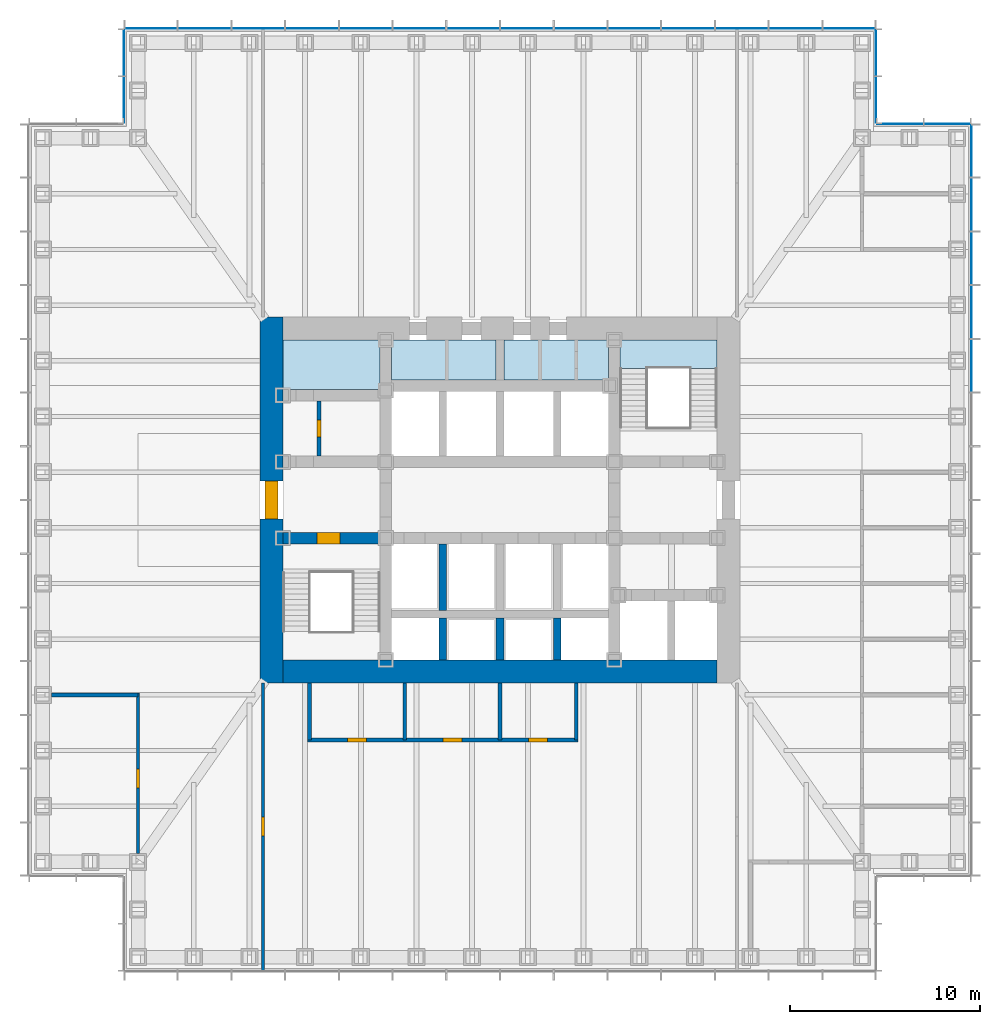
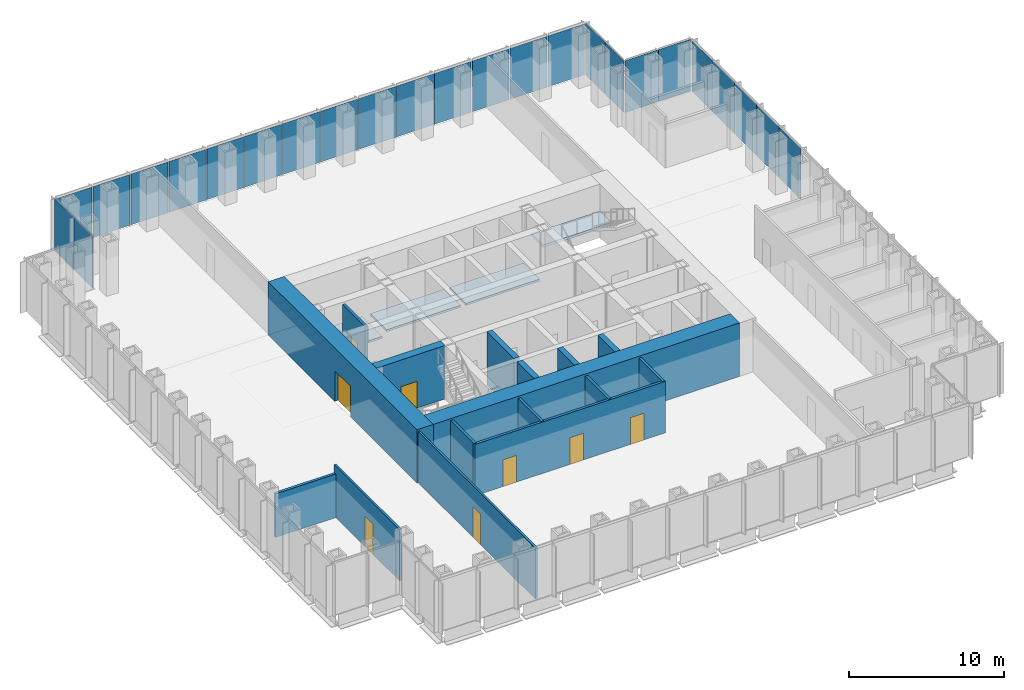
# One storey, part 8 of 16: 25 plates, 16 walls, 8 doors, 4 slabs, 8 openings, 6 elements without a shape of their own.
"""IFC4 building model written with IfcOpenShell, lengths in metres."""

from ifc_helpers import new_model, si_unit, direction, frame, frame_2d, origin, origin_2d, place, context, subcontext, project, spatial, polyline, rectangle, outline, extrude, material, layer, layer_set, type_object, element, fill, aggregate, save


model = new_model("IFC4")

# Units and contexts
model_context = context("Model", 3, precision=1e-05, world=origin(), true_north=direction((0.0, 1.0)))
body_context = subcontext(model_context, "Body", "Model", "MODEL_VIEW")
ifc_project = project(units=[si_unit("LENGTHUNIT", "METRE"), si_unit("AREAUNIT", "SQUARE_METRE"), si_unit("VOLUMEUNIT", "CUBIC_METRE"), si_unit("PLANEANGLEUNIT", "RADIAN"), si_unit("MASSUNIT", "GRAM", prefix="KILO")], contexts=[model_context])

# Site, building, storey
site_placement = place(None, origin())
site = spatial("IfcSite", under=ifc_project, at=site_placement, CompositionType="ELEMENT")
building_placement = place(site_placement, origin())
building = spatial("IfcBuilding", under=site, at=building_placement, Name="Daluyong Arena Tower", CompositionType="ELEMENT")
storey_placement = place(building_placement, frame((0.0, 0.0, 72.699951171875)))
storey = spatial("IfcBuildingStorey", under=building, at=storey_placement, Name="L15", CompositionType="ELEMENT", Elevation=72.699951171875)

# Curtain wall, plates
ifc_material_1 = material(Name="Bronze anodised aluminium and glass", Category="aluminium")
curtain_wall_type_1 = type_object("IfcCurtainWallType", Name="Curtain wall CW1", PredefinedType="USERDEFINED", material=ifc_material_1)
curtain_wall_1_placement = place(storey_placement, origin())
curtain_wall_1 = element("IfcCurtainWall", 1, at=curtain_wall_1_placement, inside=storey, type_object=curtain_wall_type_1, Name="curtain wall L15 E", ObjectType="UNITISED CURTAIN WALL", PredefinedType="USERDEFINED")
ifc_material_2 = material(Name="Tinted double glazed unit", Category="glass")
ifc_layer_1 = layer(ifc_material_2, 0.031982421875)
ifc_layer_set_1 = layer_set([ifc_layer_1], Name="Tinted double glazed unit")
plate_type_1 = type_object("IfcPlateType", Name="CW1 panel 32", PredefinedType="CURTAIN_PANEL", material=ifc_layer_set_1)
plate_1_placement = place(storey_placement, frame((80.75, 87.053466796875, 0.0), z_axis=(0.0, 0.0, 1.0), x_axis=(0.0, 1.0, 0.0)))
plate_1 = element("IfcPlate", 2, at=plate_1_placement, type_object=plate_type_1, Name="curtain wall L15 E panel 10", PredefinedType="CURTAIN_PANEL", context=body_context, shape_type="SweptSolid", body=[
    extrude(rectangle(XDim=2.741455078125, YDim=0.031982421875, at=origin_2d()), origin(), (0.0, 0.0, 1.0), 4.0),
])
plate_2_placement = place(storey_placement, frame((80.75, 89.875, 0.0), z_axis=(0.0, 0.0, 1.0), x_axis=(0.0, 1.0, 0.0)))
plate_2 = element("IfcPlate", 3, at=plate_2_placement, type_object=plate_type_1, Name="curtain wall L15 E panel 11", PredefinedType="CURTAIN_PANEL", context=body_context, shape_type="SweptSolid", body=[
    extrude(rectangle(XDim=2.741455078125, YDim=0.031982421875, at=origin_2d()), origin(), (0.0, 0.0, 1.0), 4.0),
])
plate_3_placement = place(storey_placement, frame((80.75, 92.696533203125, 0.0), z_axis=(0.0, 0.0, 1.0), x_axis=(0.0, 1.0, 0.0)))
plate_3 = element("IfcPlate", 4, at=plate_3_placement, type_object=plate_type_1, Name="curtain wall L15 E panel 12", PredefinedType="CURTAIN_PANEL", context=body_context, shape_type="SweptSolid", body=[
    extrude(rectangle(XDim=2.741455078125, YDim=0.031982421875, at=origin_2d()), origin(), (0.0, 0.0, 1.0), 4.0),
])
plate_4_placement = place(storey_placement, frame((80.75, 95.517822265625, 0.0), z_axis=(0.0, 0.0, 1.0), x_axis=(0.0, 1.0, 0.0)))
plate_4 = element("IfcPlate", 5, at=plate_4_placement, type_object=plate_type_1, Name="curtain wall L15 E panel 13", PredefinedType="CURTAIN_PANEL", context=body_context, shape_type="SweptSolid", body=[
    extrude(rectangle(XDim=2.741455078125, YDim=0.031982421875, at=origin_2d()), origin(), (0.0, 0.0, 1.0), 4.0),
])
plate_5_placement = place(storey_placement, frame((80.75, 98.3193359375, 0.0), z_axis=(0.0, 0.0, 1.0), x_axis=(0.0, 1.0, 0.0)))
plate_5 = element("IfcPlate", 6, at=plate_5_placement, type_object=plate_type_1, Name="curtain wall L15 E panel 14", PredefinedType="CURTAIN_PANEL", context=body_context, shape_type="SweptSolid", body=[
    extrude(rectangle(XDim=2.701416015625, YDim=0.031982421875, at=origin_2d()), origin(), (0.0, 0.0, 1.0), 4.0),
])
aggregate(curtain_wall_1, [plate_1, plate_2, plate_3, plate_4, plate_5])

curtain_wall_2_placement = place(storey_placement, origin())
curtain_wall_2 = element("IfcCurtainWall", 7, at=curtain_wall_2_placement, inside=storey, type_object=curtain_wall_type_1, Name="curtain wall L15 N", ObjectType="UNITISED CURTAIN WALL", PredefinedType="USERDEFINED")
plate_6_placement = place(storey_placement, frame((74.3193359375, 104.75, 0.0), z_axis=(0.0, 0.0, 1.0), x_axis=(-1.0, 0.0, 0.0)))
plate_6 = element("IfcPlate", 8, at=plate_6_placement, type_object=plate_type_1, Name="curtain wall L15 N panel 1", PredefinedType="CURTAIN_PANEL", context=body_context, shape_type="SweptSolid", body=[
    extrude(rectangle(XDim=2.701416015625, YDim=0.031982421875, at=origin_2d()), origin(), (0.0, 0.0, 1.0), 4.0),
])
plate_7_placement = place(storey_placement, frame((71.517822265625, 104.75, 0.0), z_axis=(0.0, 0.0, 1.0), x_axis=(-1.0, 0.0, 0.0)))
plate_7 = element("IfcPlate", 9, at=plate_7_placement, type_object=plate_type_1, Name="curtain wall L15 N panel 2", PredefinedType="CURTAIN_PANEL", context=body_context, shape_type="SweptSolid", body=[
    extrude(rectangle(XDim=2.741455078125, YDim=0.031982421875, at=origin_2d()), origin(), (0.0, 0.0, 1.0), 4.0),
])
plate_8_placement = place(storey_placement, frame((68.696533203125, 104.75, 0.0), z_axis=(0.0, 0.0, 1.0), x_axis=(-1.0, 0.0, 0.0)))
plate_8 = element("IfcPlate", 10, at=plate_8_placement, type_object=plate_type_1, Name="curtain wall L15 N panel 3", PredefinedType="CURTAIN_PANEL", context=body_context, shape_type="SweptSolid", body=[
    extrude(rectangle(XDim=2.741455078125, YDim=0.031982421875, at=origin_2d()), origin(), (0.0, 0.0, 1.0), 4.0),
])
plate_9_placement = place(storey_placement, frame((65.875, 104.75, 0.0), z_axis=(0.0, 0.0, 1.0), x_axis=(-1.0, 0.0, 0.0)))
plate_9 = element("IfcPlate", 11, at=plate_9_placement, type_object=plate_type_1, Name="curtain wall L15 N panel 4", PredefinedType="CURTAIN_PANEL", context=body_context, shape_type="SweptSolid", body=[
    extrude(rectangle(XDim=2.741455078125, YDim=0.031982421875, at=origin_2d()), origin(), (0.0, 0.0, 1.0), 4.0),
])
plate_10_placement = place(storey_placement, frame((63.053466796875, 104.75, 0.0), z_axis=(0.0, 0.0, 1.0), x_axis=(-1.0, 0.0, 0.0)))
plate_10 = element("IfcPlate", 12, at=plate_10_placement, type_object=plate_type_1, Name="curtain wall L15 N panel 5", PredefinedType="CURTAIN_PANEL", context=body_context, shape_type="SweptSolid", body=[
    extrude(rectangle(XDim=2.741455078125, YDim=0.031982421875, at=origin_2d()), origin(), (0.0, 0.0, 1.0), 4.0),
])
plate_11_placement = place(storey_placement, frame((60.232177734375, 104.75, 0.0), z_axis=(0.0, 0.0, 1.0), x_axis=(-1.0, 0.0, 0.0)))
plate_11 = element("IfcPlate", 13, at=plate_11_placement, type_object=plate_type_1, Name="curtain wall L15 N panel 6", PredefinedType="CURTAIN_PANEL", context=body_context, shape_type="SweptSolid", body=[
    extrude(rectangle(XDim=2.741455078125, YDim=0.031982421875, at=origin_2d()), origin(), (0.0, 0.0, 1.0), 4.0),
])
plate_12_placement = place(storey_placement, frame((57.41064453125, 104.75, 0.0), z_axis=(0.0, 0.0, 1.0), x_axis=(-1.0, 0.0, 0.0)))
plate_12 = element("IfcPlate", 14, at=plate_12_placement, type_object=plate_type_1, Name="curtain wall L15 N panel 7", PredefinedType="CURTAIN_PANEL", context=body_context, shape_type="SweptSolid", body=[
    extrude(rectangle(XDim=2.741455078125, YDim=0.031982421875, at=origin_2d()), origin(), (0.0, 0.0, 1.0), 4.0),
])
plate_13_placement = place(storey_placement, frame((54.58935546875, 104.75, 0.0), z_axis=(0.0, 0.0, 1.0), x_axis=(-1.0, 0.0, 0.0)))
plate_13 = element("IfcPlate", 15, at=plate_13_placement, type_object=plate_type_1, Name="curtain wall L15 N panel 8", PredefinedType="CURTAIN_PANEL", context=body_context, shape_type="SweptSolid", body=[
    extrude(rectangle(XDim=2.741455078125, YDim=0.031982421875, at=origin_2d()), origin(), (0.0, 0.0, 1.0), 4.0),
])
plate_14_placement = place(storey_placement, frame((51.767822265625, 104.75, 0.0), z_axis=(0.0, 0.0, 1.0), x_axis=(-1.0, 0.0, 0.0)))
plate_14 = element("IfcPlate", 16, at=plate_14_placement, type_object=plate_type_1, Name="curtain wall L15 N panel 9", PredefinedType="CURTAIN_PANEL", context=body_context, shape_type="SweptSolid", body=[
    extrude(rectangle(XDim=2.741455078125, YDim=0.031982421875, at=origin_2d()), origin(), (0.0, 0.0, 1.0), 4.0),
])
plate_15_placement = place(storey_placement, frame((48.946533203125, 104.75, 0.0), z_axis=(0.0, 0.0, 1.0), x_axis=(-1.0, 0.0, 0.0)))
plate_15 = element("IfcPlate", 17, at=plate_15_placement, type_object=plate_type_1, Name="curtain wall L15 N panel 10", PredefinedType="CURTAIN_PANEL", context=body_context, shape_type="SweptSolid", body=[
    extrude(rectangle(XDim=2.741455078125, YDim=0.031982421875, at=origin_2d()), origin(), (0.0, 0.0, 1.0), 4.0),
])
plate_16_placement = place(storey_placement, frame((46.125, 104.75, 0.0), z_axis=(0.0, 0.0, 1.0), x_axis=(-1.0, 0.0, 0.0)))
plate_16 = element("IfcPlate", 18, at=plate_16_placement, type_object=plate_type_1, Name="curtain wall L15 N panel 11", PredefinedType="CURTAIN_PANEL", context=body_context, shape_type="SweptSolid", body=[
    extrude(rectangle(XDim=2.741455078125, YDim=0.031982421875, at=origin_2d()), origin(), (0.0, 0.0, 1.0), 4.0),
])
plate_17_placement = place(storey_placement, frame((43.303466796875, 104.75, 0.0), z_axis=(0.0, 0.0, 1.0), x_axis=(-1.0, 0.0, 0.0)))
plate_17 = element("IfcPlate", 19, at=plate_17_placement, type_object=plate_type_1, Name="curtain wall L15 N panel 12", PredefinedType="CURTAIN_PANEL", context=body_context, shape_type="SweptSolid", body=[
    extrude(rectangle(XDim=2.741455078125, YDim=0.031982421875, at=origin_2d()), origin(), (0.0, 0.0, 1.0), 4.0),
])
plate_18_placement = place(storey_placement, frame((40.482177734375, 104.75, 0.0), z_axis=(0.0, 0.0, 1.0), x_axis=(-1.0, 0.0, 0.0)))
plate_18 = element("IfcPlate", 20, at=plate_18_placement, type_object=plate_type_1, Name="curtain wall L15 N panel 13", PredefinedType="CURTAIN_PANEL", context=body_context, shape_type="SweptSolid", body=[
    extrude(rectangle(XDim=2.741455078125, YDim=0.031982421875, at=origin_2d()), origin(), (0.0, 0.0, 1.0), 4.0),
])
plate_19_placement = place(storey_placement, frame((37.6806640625, 104.75, 0.0), z_axis=(0.0, 0.0, 1.0), x_axis=(-1.0, 0.0, 0.0)))
plate_19 = element("IfcPlate", 21, at=plate_19_placement, type_object=plate_type_1, Name="curtain wall L15 N panel 14", PredefinedType="CURTAIN_PANEL", context=body_context, shape_type="SweptSolid", body=[
    extrude(rectangle(XDim=2.701416015625, YDim=0.031982421875, at=origin_2d()), origin(), (0.0, 0.0, 1.0), 4.0),
])
aggregate(curtain_wall_2, [plate_6, plate_7, plate_8, plate_9, plate_10, plate_11, plate_12, plate_13, plate_14, plate_15, plate_16, plate_17, plate_18, plate_19])

ifc_material_3 = material(Name="Bronze anodised aluminium and glass", Category="aluminium")
curtain_wall_type_2 = type_object("IfcCurtainWallType", Name="Curtain wall CW7", PredefinedType="USERDEFINED", material=ifc_material_3)
curtain_wall_3_placement = place(storey_placement, origin())
curtain_wall_3 = element("IfcCurtainWall", 22, at=curtain_wall_3_placement, inside=storey, type_object=curtain_wall_type_2, Name="curtain wall L15 NE-N", ObjectType="UNITISED CURTAIN WALL", PredefinedType="USERDEFINED")
ifc_material_4 = material(Name="Tinted double glazed unit", Category="glass")
ifc_layer_2 = layer(ifc_material_4, 0.028076171875)
ifc_layer_set_2 = layer_set([ifc_layer_2], Name="Tinted double glazed unit")
plate_type_2 = type_object("IfcPlateType", Name="CW7 panel 28", PredefinedType="CURTAIN_PANEL", material=ifc_layer_set_2)
plate_20_placement = place(storey_placement, frame((79.485107421875, 99.75, 0.0), z_axis=(0.0, 0.0, 1.0), x_axis=(-1.0, 0.0, 0.0)))
plate_20 = element("IfcPlate", 23, at=plate_20_placement, type_object=plate_type_2, Name="curtain wall L15 NE-N panel 1", PredefinedType="CURTAIN_PANEL", context=body_context, shape_type="SweptSolid", body=[
    extrude(rectangle(XDim=2.409912109375, YDim=0.028076171875, at=origin_2d()), origin(), (0.0, 0.0, 1.0), 4.080078125),
])
plate_21_placement = place(storey_placement, frame((77.014892578125, 99.75, 0.0), z_axis=(0.0, 0.0, 1.0), x_axis=(-1.0, 0.0, 0.0)))
plate_21 = element("IfcPlate", 24, at=plate_21_placement, type_object=plate_type_2, Name="curtain wall L15 NE-N panel 2", PredefinedType="CURTAIN_PANEL", context=body_context, shape_type="SweptSolid", body=[
    extrude(rectangle(XDim=2.409912109375, YDim=0.028076171875, at=origin_2d()), origin(), (0.0, 0.0, 1.0), 4.080078125),
])
aggregate(curtain_wall_3, [plate_20, plate_21])

curtain_wall_4_placement = place(storey_placement, origin())
curtain_wall_4 = element("IfcCurtainWall", 25, at=curtain_wall_4_placement, inside=storey, type_object=curtain_wall_type_2, Name="curtain wall L15 NE-E", ObjectType="UNITISED CURTAIN WALL", PredefinedType="USERDEFINED")
plate_22_placement = place(storey_placement, frame((75.75, 101.014892578125, 0.0), z_axis=(0.0, 0.0, 1.0), x_axis=(0.0, 1.0, 0.0)))
plate_22 = element("IfcPlate", 26, at=plate_22_placement, type_object=plate_type_2, Name="curtain wall L15 NE-E panel 1", PredefinedType="CURTAIN_PANEL", context=body_context, shape_type="SweptSolid", body=[
    extrude(rectangle(XDim=2.409912109375, YDim=0.028076171875, at=origin_2d()), origin(), (0.0, 0.0, 1.0), 4.080078125),
])
plate_23_placement = place(storey_placement, frame((75.75, 103.485107421875, 0.0), z_axis=(0.0, 0.0, 1.0), x_axis=(0.0, 1.0, 0.0)))
plate_23 = element("IfcPlate", 27, at=plate_23_placement, type_object=plate_type_2, Name="curtain wall L15 NE-E panel 2", PredefinedType="CURTAIN_PANEL", context=body_context, shape_type="SweptSolid", body=[
    extrude(rectangle(XDim=2.409912109375, YDim=0.028076171875, at=origin_2d()), origin(), (0.0, 0.0, 1.0), 4.080078125),
])
aggregate(curtain_wall_4, [plate_22, plate_23])

curtain_wall_5_placement = place(storey_placement, origin())
curtain_wall_5 = element("IfcCurtainWall", 28, at=curtain_wall_5_placement, inside=storey, type_object=curtain_wall_type_2, Name="curtain wall L15 NW-W", ObjectType="UNITISED CURTAIN WALL", PredefinedType="USERDEFINED")
plate_24_placement = place(storey_placement, frame((36.25, 103.485107421875, 0.0), z_axis=(0.0, 0.0, 1.0), x_axis=(0.0, -1.0, 0.0)))
plate_24 = element("IfcPlate", 29, at=plate_24_placement, type_object=plate_type_2, Name="curtain wall L15 NW-W panel 1", PredefinedType="CURTAIN_PANEL", context=body_context, shape_type="SweptSolid", body=[
    extrude(rectangle(XDim=2.409912109375, YDim=0.028076171875, at=origin_2d()), origin(), (0.0, 0.0, 1.0), 4.080078125),
])
plate_25_placement = place(storey_placement, frame((36.25, 101.014892578125, 0.0), z_axis=(0.0, 0.0, 1.0), x_axis=(0.0, -1.0, 0.0)))
plate_25 = element("IfcPlate", 30, at=plate_25_placement, type_object=plate_type_2, Name="curtain wall L15 NW-W panel 2", PredefinedType="CURTAIN_PANEL", context=body_context, shape_type="SweptSolid", body=[
    extrude(rectangle(XDim=2.409912109375, YDim=0.028076171875, at=origin_2d()), origin(), (0.0, 0.0, 1.0), 4.080078125),
])
aggregate(curtain_wall_5, [plate_24, plate_25])

# Stair, slab
ifc_material_5 = material(Name="Concrete fc' 35 MPa", Category="concrete")
stair_type = type_object("IfcStairType", Name="Core exit stair", PredefinedType="HALF_TURN_STAIR", material=ifc_material_5)
stair_placement = place(storey_placement, origin())
stair = element("IfcStair", 31, at=stair_placement, inside=storey, type_object=stair_type, Name="exit stair B L15", PredefinedType="HALF_TURN_STAIR")
ifc_material_6 = material(Name="Concrete fc' 35 MPa", Category="concrete")
ifc_layer_3 = layer(ifc_material_6, 0.199951171875)
ifc_layer_set_3 = layer_set([ifc_layer_3], Name="Concrete fc' 35 MPa")
slab_type_1 = type_object("IfcSlabType", Name="Stair landing 200", PredefinedType="LANDING", material=ifc_layer_set_3)
slab_1_placement = place(storey_placement, frame((0.0, 0.0, 1.900146484375)))
slab_1 = element("IfcSlab", 32, at=slab_1_placement, type_object=slab_type_1, Name="STB landing 1", PredefinedType="LANDING", context=body_context, shape_type="SweptSolid", body=[
    extrude(outline(polyline([(62.300048828125, 86.905029296875), (67.39990234375, 86.905029296875), (67.39990234375, 88.39990234375), (62.300048828125, 88.39990234375), (62.300048828125, 86.905029296875)])), origin(), (0.0, 0.0, 1.0), 0.199951171875),
])
aggregate(stair, [slab_1])

# Slabs
ifc_material_7 = material(Name="Concrete fc' 35 MPa", Category="concrete")
ifc_layer_4 = layer(ifc_material_7, 0.159912109375)
ifc_layer_set_4 = layer_set([ifc_layer_4], Name="Concrete fc' 35 MPa")
slab_type_2 = type_object("IfcSlabType", Name="Tower floor slab 160", PredefinedType="FLOOR", material=ifc_layer_set_4)
slab_2_placement = place(storey_placement, frame((0.0, 0.0, -0.159912109375)))
element("IfcSlab", 33, at=slab_2_placement, inside=storey, type_object=slab_type_2, Name="floor L15 part 4", PredefinedType="FLOOR", context=body_context, shape_type="SweptSolid", body=[
    extrude(outline(polyline([(44.60009765625, 88.39990234375), (44.60009765625, 85.800048828125), (49.699951171875, 85.800048828125), (49.699951171875, 88.39990234375), (44.60009765625, 88.39990234375)])), origin(), (0.0, 0.0, 1.0), 0.159912109375),
])
slab_3_placement = place(storey_placement, frame((0.0, 0.0, -0.159912109375)))
element("IfcSlab", 34, at=slab_3_placement, inside=storey, type_object=slab_type_2, Name="floor L15 part 6", PredefinedType="FLOOR", context=body_context, shape_type="SweptSolid", body=[
    extrude(outline(polyline([(50.300048828125, 88.39990234375), (50.300048828125, 86.300048828125), (55.800048828125, 86.300048828125), (55.800048828125, 88.39990234375), (50.300048828125, 88.39990234375)])), origin(), (0.0, 0.0, 1.0), 0.159912109375),
])
slab_4_placement = place(storey_placement, frame((0.0, 0.0, -0.159912109375)))
element("IfcSlab", 35, at=slab_4_placement, inside=storey, type_object=slab_type_2, Name="floor L15 part 13", PredefinedType="FLOOR", context=body_context, shape_type="SweptSolid", body=[
    extrude(outline(polyline([(56.199951171875, 86.300048828125), (61.699951171875, 86.300048828125), (61.699951171875, 88.39990234375), (56.199951171875, 88.39990234375), (56.199951171875, 86.300048828125)])), origin(), (0.0, 0.0, 1.0), 0.159912109375),
])

# Wall, opening, door
ifc_material_8 = material(Name="Concrete fc' 60 MPa", Category="concrete")
ifc_layer_5 = layer(ifc_material_8, 0.60009765625)
ifc_layer_set_5 = layer_set([ifc_layer_5], Name="Concrete fc' 60 MPa")
wall_type_1 = type_object("IfcWallType", Name="Core inner wall 600", PredefinedType="SHEAR", material=ifc_layer_set_5)
wall_1_placement = place(storey_placement, frame((44.60009765625, 78.0, 0.0), z_axis=(0.0, 0.0, 1.0), x_axis=(1.0, 0.0, 0.0)))
wall_1 = element("IfcWall", 36, at=wall_1_placement, inside=storey, type_object=wall_type_1, Name="core inner wall at L15", PredefinedType="SHEAR", context=body_context, shape_type="SweptSolid", body=[
    extrude(rectangle(XDim=5.099853515625, YDim=0.60009765625, at=frame_2d((2.5498046875, 0.0))), origin(), (0.0, 0.0, 1.0), 4.199951171875),
])
opening_1_placement = place(wall_1_placement, frame((1.800048828125, 0.0, 0.0)))
opening_1 = element("IfcOpeningElement", 37, at=opening_1_placement, cuts=wall_1, Name="Opening 15009", PredefinedType="OPENING", context=body_context, shape_type="SweptSolid", body=[
    extrude(rectangle(XDim=1.199951171875, YDim=2.10009765625, at=frame_2d((0.60009765625, 1.050048828125))), frame((0.0, 0.31005859375, 0.0), z_axis=(0.0, -1.0, 0.0), x_axis=(1.0, 0.0, 0.0)), (0.0, 0.0, 1.0), 0.6201171875),
])
ifc_material_9 = material(Name="Steel door, fire rated", Category="steel")
door_type_1 = type_object("IfcDoorType", Name="Stair door 1200", OperationType="SINGLE_SWING_LEFT", PredefinedType="DOOR", material=ifc_material_9)
door_1_placement = place(opening_1_placement, origin())
door_1 = element("IfcDoor", 38, at=door_1_placement, inside=storey, type_object=door_type_1, Name="stair A door 15009", OperationType="SINGLE_SWING_LEFT", OverallHeight=2.10009765625, OverallWidth=1.199951171875, PredefinedType="DOOR", context=body_context, shape_type="SweptSolid", body=[
    extrude(rectangle(XDim=1.199951171875, YDim=2.10009765625, at=frame_2d((0.60009765625, 1.050048828125))), frame((0.0, 0.2998046875, 0.0), z_axis=(0.0, -1.0, 0.0), x_axis=(1.0, 0.0, 0.0)), (0.0, 0.0, 1.0), 0.599609375),
])
fill(opening_1, door_1)

ifc_material_10 = material(Name="Concrete fc' 60 MPa", Category="concrete")
ifc_layer_6 = layer(ifc_material_10, 1.199951171875)
ifc_layer_set_6 = layer_set([ifc_layer_6], Name="Concrete fc' 60 MPa")
wall_type_2 = type_object("IfcWallType", Name="Core wall 1200", PredefinedType="SHEAR", material=ifc_layer_set_6)
wall_2_placement = place(storey_placement, frame((44.0, 70.39990234375, 0.0), z_axis=(0.0, 0.0, 1.0), x_axis=(0.0, 1.0, 0.0)))
wall_2 = element("IfcWall", 39, at=wall_2_placement, inside=storey, type_object=wall_type_2, Name="core wall at L15", PredefinedType="SHEAR", context=body_context, shape_type="SweptSolid", body=[
    extrude(rectangle(XDim=19.2001953125, YDim=1.199951171875, at=frame_2d((9.60009765625, 0.0))), origin(), (0.0, 0.0, 1.0), 4.199951171875),
])
opening_2_placement = place(wall_2_placement, frame((8.60009765625, 0.0, 0.0)))
opening_2 = element("IfcOpeningElement", 40, at=opening_2_placement, cuts=wall_2, Name="Opening 15011", PredefinedType="OPENING", context=body_context, shape_type="SweptSolid", body=[
    extrude(rectangle(XDim=2.0, YDim=2.39990234375, at=frame_2d((1.0, 1.199951171875))), frame((0.0, 0.60986328125, 0.0), z_axis=(0.0, -1.0, 0.0), x_axis=(1.0, 0.0, 0.0)), (0.0, 0.0, 1.0), 1.219970703125),
])
ifc_material_11 = material(Name="Steel door, fire rated", Category="steel")
door_type_2 = type_object("IfcDoorType", Name="Core lobby double door 2000", OperationType="DOUBLE_DOOR_SINGLE_SWING", PredefinedType="DOOR", material=ifc_material_11)
door_2_placement = place(opening_2_placement, origin())
door_2 = element("IfcDoor", 41, at=door_2_placement, inside=storey, type_object=door_type_2, Name="core lobby door west 15011", OperationType="DOUBLE_DOOR_SINGLE_SWING", OverallHeight=2.39990234375, OverallWidth=2.0, PredefinedType="DOOR", context=body_context, shape_type="SweptSolid", body=[
    extrude(rectangle(XDim=2.0, YDim=2.39990234375, at=frame_2d((1.0, 1.199951171875))), frame((0.0, 0.35009765625, 0.0), z_axis=(0.0, -1.0, 0.0), x_axis=(1.0, 0.0, 0.0)), (0.0, 0.0, 1.0), 0.699951171875),
])
fill(opening_2, door_2)

# Wall
wall_3_placement = place(storey_placement, frame((44.60009765625, 71.0, 0.0), z_axis=(0.0, 0.0, 1.0), x_axis=(1.0, 0.0, 0.0)))
element("IfcWall", 42, at=wall_3_placement, inside=storey, type_object=wall_type_2, Name="core wall at L15", PredefinedType="SHEAR", context=body_context, shape_type="SweptSolid", body=[
    extrude(rectangle(XDim=22.7998046875, YDim=1.199951171875, at=frame_2d((11.39990234375, 0.0))), origin(), (0.0, 0.0, 1.0), 4.199951171875),
])

# Wall, opening, door
ifc_material_12 = material(Name="Concrete block partition, fire rated", Category="concrete")
ifc_layer_7 = layer(ifc_material_12, 0.199951171875)
ifc_layer_set_7 = layer_set([ifc_layer_7], Name="Concrete block partition, fire rated")
wall_type_3 = type_object("IfcWallType", Name="Fire-rated partition 200", PredefinedType="PARTITIONING", material=ifc_layer_set_7)
wall_4_placement = place(storey_placement, frame((46.5, 82.300048828125, 0.0), z_axis=(0.0, 0.0, 1.0), x_axis=(0.0, 1.0, 0.0)))
wall_4 = element("IfcWall", 43, at=wall_4_placement, inside=storey, type_object=wall_type_3, Name="toilet lobby partition at L15", PredefinedType="PARTITIONING", context=body_context, shape_type="SweptSolid", body=[
    extrude(rectangle(XDim=2.89990234375, YDim=0.199951171875, at=frame_2d((1.449951171875, 0.0))), origin(), (0.0, 0.0, 1.0), 4.0400390625),
])
opening_3_placement = place(wall_4_placement, frame((1.0, 0.0, 0.0)))
opening_3 = element("IfcOpeningElement", 44, at=opening_3_placement, cuts=wall_4, Name="Opening 15002", PredefinedType="OPENING", context=body_context, shape_type="SweptSolid", body=[
    extrude(rectangle(XDim=0.89990234375, YDim=2.10009765625, at=frame_2d((0.449951171875, 1.050048828125))), frame((0.0, 0.10986328125, 0.0), z_axis=(0.0, -1.0, 0.0), x_axis=(1.0, 0.0, 0.0)), (0.0, 0.0, 1.0), 0.219970703125),
])
ifc_material_13 = material(Name="Timber door", Category="wood")
door_type_3 = type_object("IfcDoorType", Name="Toilet door 900", OperationType="SINGLE_SWING_RIGHT", PredefinedType="DOOR", material=ifc_material_13)
door_3_placement = place(opening_3_placement, origin())
door_3 = element("IfcDoor", 45, at=door_3_placement, inside=storey, type_object=door_type_3, Name="male toilet door 15002", OperationType="SINGLE_SWING_RIGHT", OverallHeight=2.10009765625, OverallWidth=0.89990234375, PredefinedType="DOOR", context=body_context, shape_type="SweptSolid", body=[
    extrude(rectangle(XDim=0.89990234375, YDim=2.10009765625, at=frame_2d((0.449951171875, 1.050048828125))), frame((0.0, 0.099609375, 0.0), z_axis=(0.0, -1.0, 0.0), x_axis=(1.0, 0.0, 0.0)), (0.0, 0.0, 1.0), 0.199462890625),
])
fill(opening_3, door_3)

ifc_material_14 = material(Name="Glazed aluminium partition", Category="aluminium")
ifc_layer_8 = layer(ifc_material_14, 0.14990234375)
ifc_layer_set_8 = layer_set([ifc_layer_8], Name="Glazed aluminium partition")
wall_type_4 = type_object("IfcWallType", Name="Glazed partition 150", PredefinedType="PARTITIONING", material=ifc_layer_set_8)
wall_5_placement = place(storey_placement, frame((37.0, 61.449951171875, 0.0), z_axis=(0.0, 0.0, 1.0), x_axis=(0.0, 1.0, 0.0)))
wall_5 = element("IfcWall", 46, at=wall_5_placement, inside=storey, type_object=wall_type_4, Name="glazed partition at L15", PredefinedType="PARTITIONING", context=body_context, shape_type="SweptSolid", body=[
    extrude(rectangle(XDim=8.419189453125, YDim=0.14990234375, at=frame_2d((4.20947265625, 0.0))), origin(), (0.0, 0.0, 1.0), 4.0400390625),
])
opening_4_placement = place(wall_5_placement, frame((3.4345703125, 0.0, 0.0)))
opening_4 = element("IfcOpeningElement", 47, at=opening_4_placement, cuts=wall_5, Name="Opening 15032", PredefinedType="OPENING", context=body_context, shape_type="SweptSolid", body=[
    extrude(rectangle(XDim=1.0, YDim=2.39990234375, at=frame_2d((0.5, 1.199951171875))), frame((0.0, 0.0849609375, 0.0), z_axis=(0.0, -1.0, 0.0), x_axis=(1.0, 0.0, 0.0)), (0.0, 0.0, 1.0), 0.169921875),
])
ifc_material_15 = material(Name="Glazed aluminium door", Category="aluminium")
door_type_4 = type_object("IfcDoorType", Name="Meeting room glazed door 1000", OperationType="SINGLE_SWING_RIGHT", PredefinedType="DOOR", material=ifc_material_15)
door_4_placement = place(opening_4_placement, origin())
door_4 = element("IfcDoor", 48, at=door_4_placement, inside=storey, type_object=door_type_4, Name="meeting room door 15032", OperationType="SINGLE_SWING_RIGHT", OverallHeight=2.39990234375, OverallWidth=1.0, PredefinedType="DOOR", context=body_context, shape_type="SweptSolid", body=[
    extrude(rectangle(XDim=1.0, YDim=2.39990234375, at=frame_2d((0.5, 1.199951171875))), frame((0.0, 0.07470703125, 0.0), z_axis=(0.0, -1.0, 0.0), x_axis=(1.0, 0.0, 0.0)), (0.0, 0.0, 1.0), 0.1494140625),
])
fill(opening_4, door_4)

wall_6_placement = place(storey_placement, frame((43.550048828125, 55.31005859375, 0.0), z_axis=(0.0, 0.0, 1.0), x_axis=(0.0, 1.0, 0.0)))
wall_6 = element("IfcWall", 49, at=wall_6_placement, inside=storey, type_object=wall_type_4, Name="glazed partition at L15", PredefinedType="PARTITIONING", context=body_context, shape_type="SweptSolid", body=[
    extrude(rectangle(XDim=15.08984375, YDim=0.14990234375, at=frame_2d((7.544921875, 0.0))), origin(), (0.0, 0.0, 1.0), 4.0400390625),
])
opening_5_placement = place(wall_6_placement, frame((7.044921875, 0.0, 0.0)))
opening_5 = element("IfcOpeningElement", 50, at=opening_5_placement, cuts=wall_6, Name="Opening 15036", PredefinedType="OPENING", context=body_context, shape_type="SweptSolid", body=[
    extrude(rectangle(XDim=1.0, YDim=2.39990234375, at=frame_2d((0.5, 1.199951171875))), frame((0.0, 0.0849609375, 0.0), z_axis=(0.0, -1.0, 0.0), x_axis=(1.0, 0.0, 0.0)), (0.0, 0.0, 1.0), 0.169921875),
])
door_5_placement = place(opening_5_placement, origin())
door_5 = element("IfcDoor", 51, at=door_5_placement, inside=storey, type_object=door_type_4, Name="team area screen door 15036", OperationType="SINGLE_SWING_RIGHT", OverallHeight=2.39990234375, OverallWidth=1.0, PredefinedType="DOOR", context=body_context, shape_type="SweptSolid", body=[
    extrude(rectangle(XDim=1.0, YDim=2.39990234375, at=frame_2d((0.5, 1.199951171875))), frame((0.0, 0.07470703125, 0.0), z_axis=(0.0, -1.0, 0.0), x_axis=(1.0, 0.0, 0.0)), (0.0, 0.0, 1.0), 0.1494140625),
])
fill(opening_5, door_5)

# Walls
ifc_material_16 = material(Name="Concrete fc' 45 MPa", Category="concrete")
ifc_layer_9 = layer(ifc_material_16, 0.39990234375)
ifc_layer_set_9 = layer_set([ifc_layer_9], Name="Concrete fc' 45 MPa")
wall_type_5 = type_object("IfcWallType", Name="Lift shaft wall 400", PredefinedType="SHEAR", material=ifc_layer_set_9)
wall_7_placement = place(storey_placement, frame((53.0, 71.60009765625, 0.0), z_axis=(0.0, 0.0, 1.0), x_axis=(0.0, 1.0, 0.0)))
element("IfcWall", 52, at=wall_7_placement, inside=storey, type_object=wall_type_5, Name="lift shaft wall at L15", PredefinedType="SHEAR", context=body_context, shape_type="SweptSolid", body=[
    extrude(rectangle(XDim=2.199951171875, YDim=0.39990234375, at=frame_2d((1.10009765625, 0.0))), origin(), (0.0, 0.0, 1.0), 4.199951171875),
])
wall_8_placement = place(storey_placement, frame((53.0, 74.199951171875, 0.0), z_axis=(0.0, 0.0, 1.0), x_axis=(0.0, 1.0, 0.0)))
element("IfcWall", 53, at=wall_8_placement, inside=storey, type_object=wall_type_5, Name="lift shaft wall at L15", PredefinedType="SHEAR", context=body_context, shape_type="SweptSolid", body=[
    extrude(rectangle(XDim=3.5, YDim=0.39990234375, at=frame_2d((1.75, 0.0))), origin(), (0.0, 0.0, 1.0), 4.199951171875),
])
for number, where, z_axis, x_axis, name in (
    (54, (56.0, 71.60009765625, 0.0), (0.0, 0.0, 1.0), (0.0, 1.0, 0.0), "lift shaft wall at L15"),
    (55, (59.0, 71.60009765625, 0.0), (0.0, 0.0, 1.0), (0.0, 1.0, 0.0), "lift shaft wall at L15"),
):
    element("IfcWall", number, at=place(storey_placement, frame(where, z_axis=z_axis, x_axis=x_axis)), inside=storey, type_object=wall_type_5, Name=name, PredefinedType="SHEAR", context=body_context, shape_type="SweptSolid", body=[
        extrude(rectangle(XDim=2.199951171875, YDim=0.39990234375, at=frame_2d((1.10009765625, 0.0))), origin(), (0.0, 0.0, 1.0), 4.199951171875),
    ])
ifc_material_17 = material(Name="Concrete block partition", Category="concrete")
ifc_layer_10 = layer(ifc_material_17, 0.199951171875)
ifc_layer_set_10 = layer_set([ifc_layer_10], Name="Concrete block partition")
wall_type_6 = type_object("IfcWallType", Name="Partition 200", PredefinedType="PARTITIONING", material=ifc_layer_set_10)
wall_9_placement = place(storey_placement, frame((32.449951171875, 69.769287109375, 0.0), z_axis=(0.0, 0.0, 1.0), x_axis=(1.0, 0.0, 0.0)))
element("IfcWall", 56, at=wall_9_placement, inside=storey, type_object=wall_type_6, Name="partition at L15", PredefinedType="PARTITIONING", context=body_context, shape_type="SweptSolid", body=[
    extrude(rectangle(XDim=4.550048828125, YDim=0.199951171875, at=frame_2d((2.27490234375, 0.0))), origin(), (0.0, 0.0, 1.0), 3.427978515625),
])
for number, where, z_axis, x_axis, name in (
    (57, (46.0, 67.39990234375, 0.0), (0.0, 0.0, 1.0), (0.0, 1.0, 0.0), "partition at L15"),
    (58, (51.0, 67.39990234375, 0.0), (0.0, 0.0, 1.0), (0.0, 1.0, 0.0), "partition at L15"),
    (59, (56.0, 67.39990234375, 0.0), (0.0, 0.0, 1.0), (0.0, 1.0, 0.0), "partition at L15"),
    (60, (60.0, 67.39990234375, 0.0), (0.0, 0.0, 1.0), (0.0, 1.0, 0.0), "partition at L15"),
):
    element("IfcWall", number, at=place(storey_placement, frame(where, z_axis=z_axis, x_axis=x_axis)), inside=storey, type_object=wall_type_6, Name=name, PredefinedType="PARTITIONING", context=body_context, shape_type="SweptSolid", body=[
        extrude(rectangle(XDim=3.0, YDim=0.199951171875, at=frame_2d((1.5, 0.0))), origin(), (0.0, 0.0, 1.0), 4.0400390625),
    ])

# Wall, openings, doors
wall_10_placement = place(storey_placement, frame((45.89990234375, 67.39990234375, 0.0), z_axis=(0.0, 0.0, 1.0), x_axis=(1.0, 0.0, 0.0)))
wall_10 = element("IfcWall", 61, at=wall_10_placement, inside=storey, type_object=wall_type_6, Name="partition at L15", PredefinedType="PARTITIONING", context=body_context, shape_type="SweptSolid", body=[
    extrude(rectangle(XDim=14.2001953125, YDim=0.199951171875, at=frame_2d((7.10009765625, 0.0))), origin(), (0.0, 0.0, 1.0), 4.0400390625),
])
opening_6_placement = place(wall_10_placement, frame((2.10009765625, 0.0, 0.0)))
opening_6 = element("IfcOpeningElement", 62, at=opening_6_placement, cuts=wall_10, Name="Opening 15033", PredefinedType="OPENING", context=body_context, shape_type="SweptSolid", body=[
    extrude(rectangle(XDim=1.0, YDim=2.10009765625, at=frame_2d((0.5, 1.050048828125))), frame((0.0, 0.10986328125, 0.0), z_axis=(0.0, -1.0, 0.0), x_axis=(1.0, 0.0, 0.0)), (0.0, 0.0, 1.0), 0.219970703125),
])
opening_7_placement = place(wall_10_placement, frame((7.10009765625, 0.0, 0.0)))
opening_7 = element("IfcOpeningElement", 63, at=opening_7_placement, cuts=wall_10, Name="Opening 15034", PredefinedType="OPENING", context=body_context, shape_type="SweptSolid", body=[
    extrude(rectangle(XDim=1.0, YDim=2.10009765625, at=frame_2d((0.5, 1.050048828125))), frame((0.0, 0.10986328125, 0.0), z_axis=(0.0, -1.0, 0.0), x_axis=(1.0, 0.0, 0.0)), (0.0, 0.0, 1.0), 0.219970703125),
])
opening_8_placement = place(wall_10_placement, frame((11.60009765625, 0.0, 0.0)))
opening_8 = element("IfcOpeningElement", 64, at=opening_8_placement, cuts=wall_10, Name="Opening 15035", PredefinedType="OPENING", context=body_context, shape_type="SweptSolid", body=[
    extrude(rectangle(XDim=1.0, YDim=2.10009765625, at=frame_2d((0.5, 1.050048828125))), frame((0.0, 0.10986328125, 0.0), z_axis=(0.0, -1.0, 0.0), x_axis=(1.0, 0.0, 0.0)), (0.0, 0.0, 1.0), 0.219970703125),
])
ifc_material_18 = material(Name="Timber door", Category="wood")
door_type_5 = type_object("IfcDoorType", Name="Room door 1000", OperationType="SINGLE_SWING_LEFT", PredefinedType="DOOR", material=ifc_material_18)
door_6_placement = place(opening_6_placement, origin())
door_6 = element("IfcDoor", 65, at=door_6_placement, inside=storey, type_object=door_type_5, Name="wellness room door 15033", OperationType="SINGLE_SWING_LEFT", OverallHeight=2.10009765625, OverallWidth=1.0, PredefinedType="DOOR", context=body_context, shape_type="SweptSolid", body=[
    extrude(rectangle(XDim=1.0, YDim=2.10009765625, at=frame_2d((0.5, 1.050048828125))), frame((0.0, 0.099609375, 0.0), z_axis=(0.0, -1.0, 0.0), x_axis=(1.0, 0.0, 0.0)), (0.0, 0.0, 1.0), 0.199462890625),
])
fill(opening_6, door_6)
door_7_placement = place(opening_7_placement, origin())
door_7 = element("IfcDoor", 66, at=door_7_placement, inside=storey, type_object=door_type_5, Name="wellness room door 15034", OperationType="SINGLE_SWING_LEFT", OverallHeight=2.10009765625, OverallWidth=1.0, PredefinedType="DOOR", context=body_context, shape_type="SweptSolid", body=[
    extrude(rectangle(XDim=1.0, YDim=2.10009765625, at=frame_2d((0.5, 1.050048828125))), frame((0.0, 0.099609375, 0.0), z_axis=(0.0, -1.0, 0.0), x_axis=(1.0, 0.0, 0.0)), (0.0, 0.0, 1.0), 0.199462890625),
])
fill(opening_7, door_7)
door_8_placement = place(opening_8_placement, origin())
door_8 = element("IfcDoor", 67, at=door_8_placement, inside=storey, type_object=door_type_5, Name="lactation room door 15035", OperationType="SINGLE_SWING_LEFT", OverallHeight=2.10009765625, OverallWidth=1.0, PredefinedType="DOOR", context=body_context, shape_type="SweptSolid", body=[
    extrude(rectangle(XDim=1.0, YDim=2.10009765625, at=frame_2d((0.5, 1.050048828125))), frame((0.0, 0.099609375, 0.0), z_axis=(0.0, -1.0, 0.0), x_axis=(1.0, 0.0, 0.0)), (0.0, 0.0, 1.0), 0.199462890625),
])
fill(opening_8, door_8)

save(model, "model.ifc")
